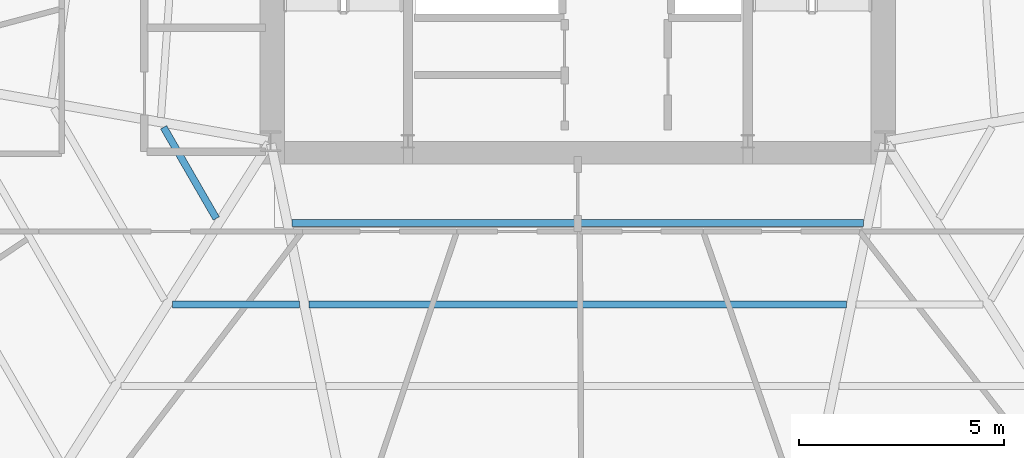
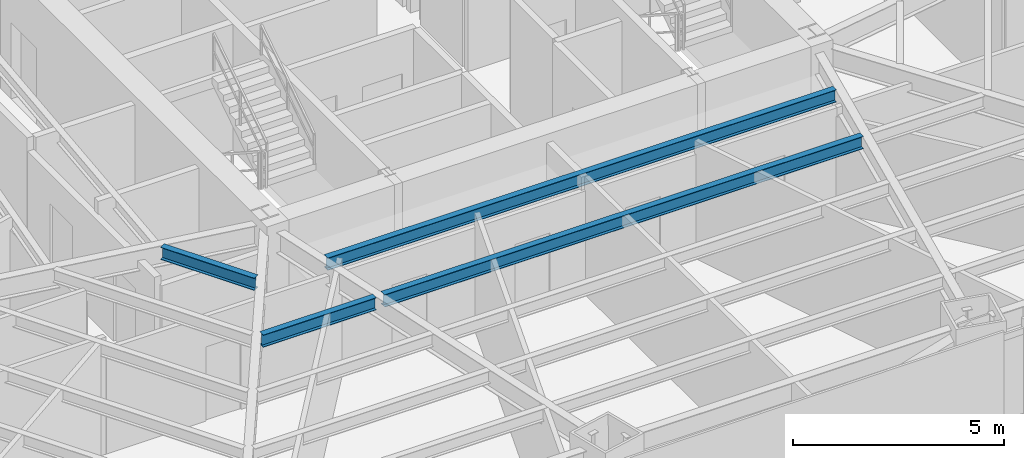
# One storey, part 9 of 34: 4 beams.
"""IFC4 building model written with IfcOpenShell, lengths in metres."""

from ifc_helpers import new_model, si_unit, direction, frame, origin, origin_2d, place, context, subcontext, project, spatial, i_section, extrude, source, transform, mapped, material, material_profile, profile_set, type_object, type_shapes, element, save


model = new_model("IFC4")

# Units and contexts
model_context = context("Model", 3, precision=1e-05, world=origin(), true_north=direction((0.0, 1.0)))
body_context = subcontext(model_context, "Body", "Model", "MODEL_VIEW")
ifc_project = project(units=[si_unit("LENGTHUNIT", "METRE"), si_unit("AREAUNIT", "SQUARE_METRE"), si_unit("VOLUMEUNIT", "CUBIC_METRE"), si_unit("PLANEANGLEUNIT", "RADIAN"), si_unit("MASSUNIT", "GRAM", prefix="KILO")], contexts=[model_context])

# Site, building, storey
site_placement = place(None, origin())
site = spatial("IfcSite", under=ifc_project, at=site_placement, CompositionType="ELEMENT")
building_placement = place(site_placement, origin())
building = spatial("IfcBuilding", under=site, at=building_placement, Name="Caelisora Broadcast Tower", CompositionType="ELEMENT")
storey_placement = place(building_placement, frame((0.0, 0.0, 56.800048828125)))
storey = spatial("IfcBuildingStorey", under=building, at=storey_placement, Name="L14", CompositionType="ELEMENT", Elevation=56.800048828125)

# Beams
ifc_material = material(Name="Steel Grade 350 (AS/NZS 3679.1)", Category="steel")
ifc_material_profile = material_profile(ifc_material, i_section(OverallWidth=0.172119140625, OverallDepth=0.358642578125, WebThickness=0.008056640625, FlangeThickness=0.012939453125, at=origin_2d()), Name="Steel Grade 350 (AS/NZS 3679.1)")
ifc_profile_set = profile_set([ifc_material_profile], Name="Steel Grade 350 (AS/NZS 3679.1)")
beam_type = type_object("IfcBeamType", Name="SB02", PredefinedType="JOIST", material=ifc_profile_set)
shared_shape_1 = source(origin(), body_context, "Body", "SweptSolid", [
    extrude(i_section(OverallWidth=0.172119140625, OverallDepth=0.358642578125, WebThickness=0.008056640625, FlangeThickness=0.012939453125, at=origin_2d()), origin(), (0.0, 0.0, 1.0), 2.57080078125),
])
beam_1_placement = place(storey_placement, frame((27.889404296875, 17.74365234375, 3.220703125), z_axis=(0.500010177898, -0.866019527493, 0.0), x_axis=(0.866019527493, 0.500010177898, 0.0)))
element("IfcBeam", 1, at=beam_1_placement, inside=storey, type_object=beam_type, Name="L14 beam SB02", PredefinedType="JOIST", context=body_context, shape_type="MappedRepresentation", body=[
    mapped(shared_shape_1, transform((0.0, 0.0, 0.0), scale=1.0)),
])
shared_shape_2 = source(origin(), body_context, "Body", "SweptSolid", [
    extrude(i_section(OverallWidth=0.172119140625, OverallDepth=0.358642578125, WebThickness=0.008056640625, FlangeThickness=0.012939453125, at=origin_2d()), origin(), (0.0, 0.0, 1.0), 3.1044921875),
])
beam_2_placement = place(storey_placement, frame((28.107177734375, 13.4169921875, 3.220703125), z_axis=(1.0, 0.0, 0.0), x_axis=(0.0, 1.0, 0.0)))
element("IfcBeam", 2, at=beam_2_placement, inside=storey, type_object=beam_type, Name="L14 beam SB02", PredefinedType="JOIST", context=body_context, shape_type="MappedRepresentation", body=[
    mapped(shared_shape_2, transform((0.0, 0.0, 0.0), scale=1.0)),
])
shared_shape_3 = source(origin(), body_context, "Body", "SweptSolid", [
    extrude(i_section(OverallWidth=0.172119140625, OverallDepth=0.358642578125, WebThickness=0.008056640625, FlangeThickness=0.012939453125, at=origin_2d()), origin(), (0.0, 0.0, 1.0), 13.9482421875),
])
beam_3_placement = place(storey_placement, frame((31.02587890625, 15.408447265625, 3.220703125), z_axis=(1.0, 0.0, 0.0), x_axis=(0.0, 1.0, 0.0)))
element("IfcBeam", 3, at=beam_3_placement, inside=storey, type_object=beam_type, Name="L14 beam SB02", PredefinedType="JOIST", context=body_context, shape_type="MappedRepresentation", body=[
    mapped(shared_shape_3, transform((0.0, 0.0, 0.0), scale=1.0)),
])
shared_shape_4 = source(origin(), body_context, "Body", "SweptSolid", [
    extrude(i_section(OverallWidth=0.172119140625, OverallDepth=0.358642578125, WebThickness=0.008056640625, FlangeThickness=0.012939453125, at=origin_2d()), origin(), (0.0, 0.0, 1.0), 13.123046875),
])
type_shapes(beam_type, [shared_shape_1, shared_shape_2, shared_shape_3, shared_shape_4])
beam_4_placement = place(storey_placement, frame((31.4384765625, 13.4169921875, 3.220703125), z_axis=(1.0, 0.0, 0.0), x_axis=(0.0, 1.0, 0.0)))
element("IfcBeam", 4, at=beam_4_placement, inside=storey, type_object=beam_type, Name="L14 beam SB02", PredefinedType="JOIST", context=body_context, shape_type="MappedRepresentation", body=[
    mapped(shared_shape_4, transform((0.0, 0.0, 0.0), scale=1.0)),
])

save(model, "model.ifc")
